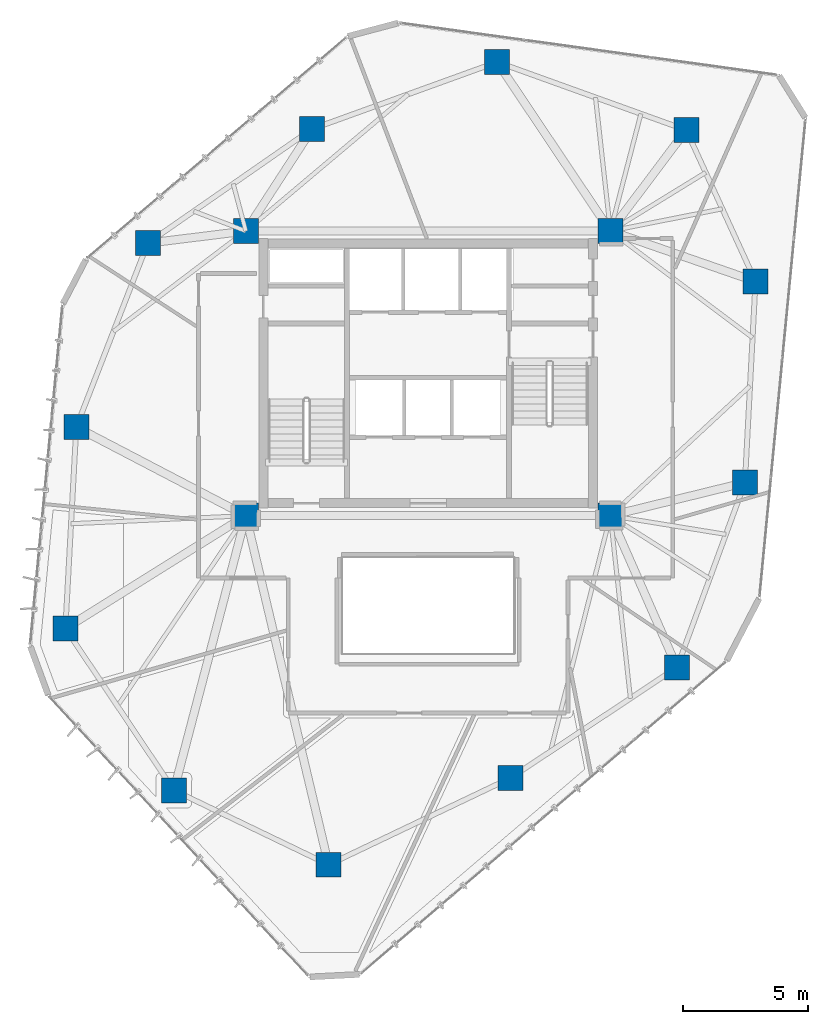
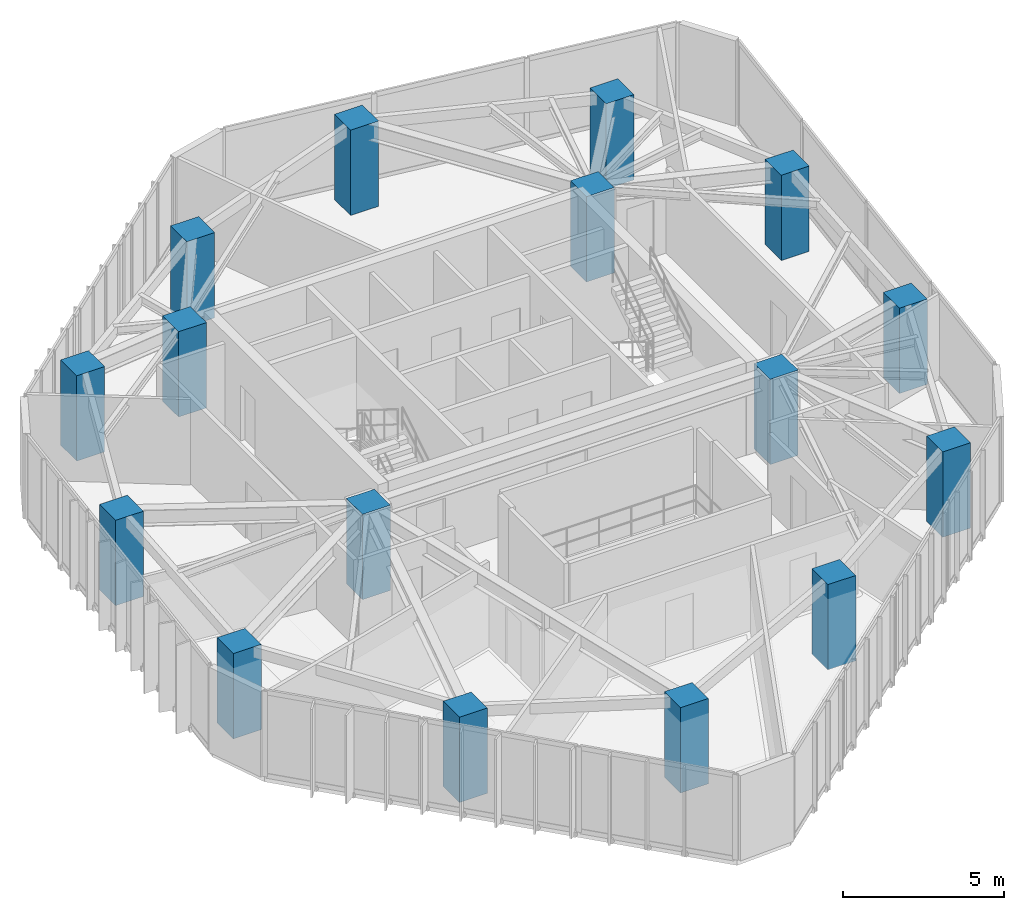
# One storey, part 1 of 21: 16 columns.
"""IFC4 building model written with IfcOpenShell, lengths in metres."""

from ifc_helpers import new_model, si_unit, direction, frame, origin, origin_2d, place, context, subcontext, project, spatial, rectangle, extrude, material, material_profile, profile_set, type_object, element, save


model = new_model("IFC4")

# Units and contexts
model_context = context("Model", 3, precision=1e-05, world=origin(), true_north=direction((0.0, 1.0)))
body_context = subcontext(model_context, "Body", "Model", "MODEL_VIEW")
ifc_project = project(units=[si_unit("LENGTHUNIT", "METRE"), si_unit("AREAUNIT", "SQUARE_METRE"), si_unit("VOLUMEUNIT", "CUBIC_METRE"), si_unit("PLANEANGLEUNIT", "RADIAN"), si_unit("MASSUNIT", "GRAM", prefix="KILO")], contexts=[model_context])

# Site, building, storey
site_placement = place(None, origin())
site = spatial("IfcSite", under=ifc_project, at=site_placement, CompositionType="ELEMENT")
building_placement = place(site_placement, origin())
building = spatial("IfcBuilding", under=site, at=building_placement, Name="Talar Marvaseh", CompositionType="ELEMENT")
storey_placement = place(building_placement, frame((0.0, 0.0, 225.699951171875)))
storey = spatial("IfcBuildingStorey", under=building, at=storey_placement, Name="L59", CompositionType="ELEMENT", Elevation=225.699951171875)

# Columns
ifc_material = material(Name="Concrete C60/75", Category="concrete")
ifc_material_profile = material_profile(ifc_material, rectangle(XDim=1.0, YDim=1.0, at=origin_2d()), Name="RC1000x1000")
ifc_profile_set = profile_set([ifc_material_profile], Name="Concrete C60/75")
column_type = type_object("IfcColumnType", Name="Zone 3 Tube Column RC1000x1000", PredefinedType="COLUMN", material=ifc_profile_set)
for number, where, z_axis, x_axis, name in (
    (1, (28.76611328125, 43.66796875, 0.0), (0.0, 0.0, 1.0), (1.0, 0.0, 0.0), "L59 Zone 3 Tube Column RC1000x1000"),
    (2, (36.341064453125, 40.94189453125, 0.0), (0.0, 0.0, 1.0), (1.0, 0.0, 0.0), "L59 Zone 3 Tube Column RC1000x1000"),
    (3, (39.113037109375, 34.884033203125, 0.0), (0.0, 0.0, 1.0), (1.0, 0.0, 0.0), "L59 Zone 3 Tube Column RC1000x1000"),
    (4, (38.68896484375, 26.823974609375, 0.0), (0.0, 0.0, 1.0), (1.0, 0.0, 0.0), "L59 Zone 3 Tube Column RC1000x1000"),
    (5, (35.970947265625, 19.423095703125, 0.0), (0.0, 0.0, 1.0), (1.0, 0.0, 0.0), "L59 Zone 3 Tube Column RC1000x1000"),
    (6, (29.299072265625, 14.993896484375, 0.0), (0.0, 0.0, 1.0), (1.0, 0.0, 0.0), "L59 Zone 3 Tube Column RC1000x1000"),
    (7, (22.014892578125, 11.51904296875, 0.0), (0.0, 0.0, 1.0), (1.0, 0.0, 0.0), "L59 Zone 3 Tube Column RC1000x1000"),
    (8, (15.819091796875, 14.5009765625, 0.0), (0.0, 0.0, 1.0), (1.0, 0.0, 0.0), "L59 Zone 3 Tube Column RC1000x1000"),
    (9, (11.471923828125, 20.986083984375, 0.0), (0.0, 0.0, 1.0), (1.0, 0.0, 0.0), "L59 Zone 3 Tube Column RC1000x1000"),
    (10, (11.908935546875, 29.044921875, 0.0), (0.0, 0.0, 1.0), (1.0, 0.0, 0.0), "L59 Zone 3 Tube Column RC1000x1000"),
    (11, (14.77294921875, 36.416015625, 0.0), (0.0, 0.0, 1.0), (1.0, 0.0, 0.0), "L59 Zone 3 Tube Column RC1000x1000"),
    (12, (21.35205078125, 40.986083984375, 0.0), (0.0, 0.0, 1.0), (1.0, 0.0, 0.0), "L59 Zone 3 Tube Column RC1000x1000"),
    (13, (18.699951171875, 25.5, 0.0), (0.0, 0.0, 1.0), (1.0, 0.0, 0.0), "L59 Zone 3 Tube Column RC1000x1000"),
    (14, (33.300048828125, 25.5, 0.0), (0.0, 0.0, 1.0), (1.0, 0.0, 0.0), "L59 Zone 3 Tube Column RC1000x1000"),
    (15, (33.300048828125, 36.89990234375, 0.0), (0.0, 0.0, 1.0), (1.0, 0.0, 0.0), "L59 Zone 3 Tube Column RC1000x1000"),
    (16, (18.699951171875, 36.89990234375, 0.0), (0.0, 0.0, 1.0), (1.0, 0.0, 0.0), "L59 Zone 3 Tube Column RC1000x1000"),
):
    element("IfcColumn", number, at=place(storey_placement, frame(where, z_axis=z_axis, x_axis=x_axis)), inside=storey, type_object=column_type, Name=name, PredefinedType="COLUMN", context=body_context, shape_type="SweptSolid", body=[
        extrude(rectangle(XDim=1.0, YDim=1.0, at=origin_2d()), origin(), (0.0, 0.0, 1.0), 3.22998046875),
    ])

save(model, "model.ifc")
